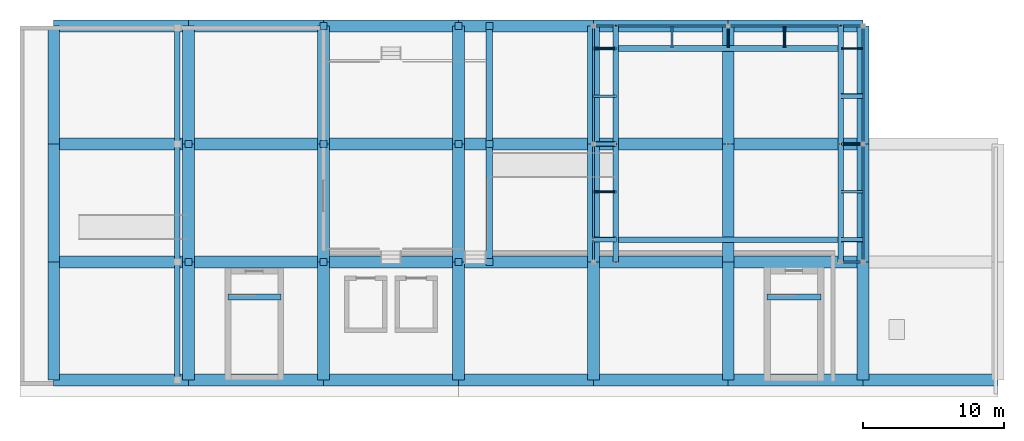
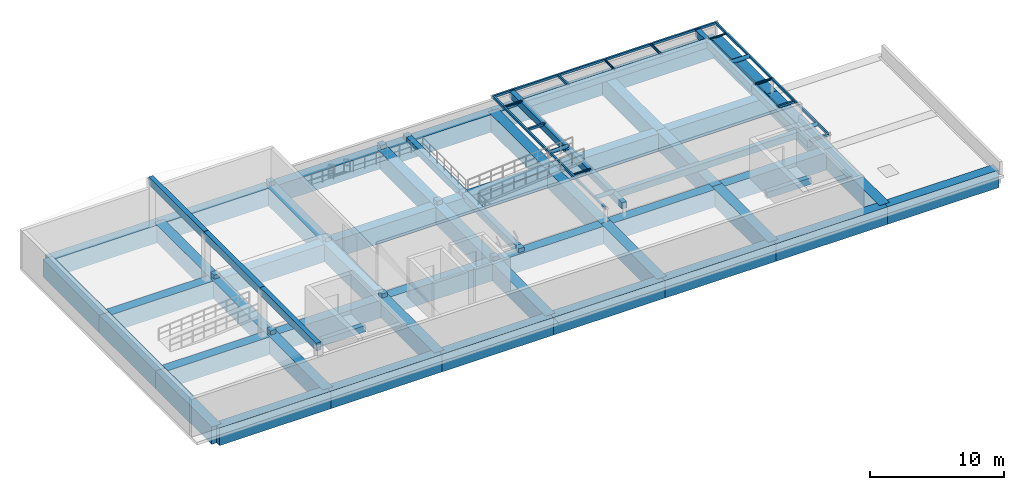
# One storey, part 3 of 8: 59 beams, 18 members, 11 columns.
"""IFC4 building model written with IfcOpenShell, lengths in metres."""

from ifc_helpers import new_model, si_unit, direction, frame, origin, origin_2d, place, context, subcontext, project, spatial, rectangle, hollow_rectangle, hollow_circle, extrude, material, material_profile, profile_set, type_object, element, save


model = new_model("IFC4")

# Units and contexts
model_context = context("Model", 3, precision=1e-05, world=origin(), true_north=direction((0.0, 1.0)))
body_context = subcontext(model_context, "Body", "Model", "MODEL_VIEW")
ifc_project = project(units=[si_unit("LENGTHUNIT", "METRE"), si_unit("AREAUNIT", "SQUARE_METRE"), si_unit("VOLUMEUNIT", "CUBIC_METRE"), si_unit("PLANEANGLEUNIT", "RADIAN"), si_unit("MASSUNIT", "GRAM", prefix="KILO")], contexts=[model_context])

# Site, building, storey
site_placement = place(None, origin())
site = spatial("IfcSite", under=ifc_project, at=site_placement, CompositionType="ELEMENT")
building_placement = place(site_placement, origin())
building = spatial("IfcBuilding", under=site, at=building_placement, Name="Oolite Switchyard Hospital", CompositionType="ELEMENT")
storey_placement = place(building_placement, frame((0.0, 0.0, 34.60009765625)))
storey = spatial("IfcBuildingStorey", under=building, at=storey_placement, Name="RF", CompositionType="ELEMENT", Elevation=34.60009765625)

# Columns
ifc_material_1 = material(Name="Concrete C50/60", Category="concrete")
ifc_material_profile_1 = material_profile(ifc_material_1, rectangle(XDim=0.5, YDim=0.5, at=origin_2d()), Name="RC500X500")
ifc_profile_set_1 = profile_set([ifc_material_profile_1], Name="Concrete C50/60")
column_type = type_object("IfcColumnType", Name="COL-RC500", PredefinedType="COLUMN", material=ifc_profile_set_1)
for number, where, z_axis, x_axis, name in (
    (1, (153.60009765625, 117.60009765625, 0.0), (0.0, 0.0, 1.0), (1.0, 0.0, 0.0), "RF Apron Pedestal Column 1"),
    (2, (153.60009765625, 126.0, 0.0), (0.0, 0.0, 1.0), (1.0, 0.0, 0.0), "RF Apron Pedestal Column 2"),
    (3, (163.199951171875, 117.60009765625, 0.0), (0.0, 0.0, 1.0), (1.0, 0.0, 0.0), "RF Apron Pedestal Column 3"),
    (4, (163.199951171875, 126.0, 0.0), (0.0, 0.0, 1.0), (1.0, 0.0, 0.0), "RF Apron Pedestal Column 4"),
    (5, (163.199951171875, 134.39990234375, 0.0), (0.0, 0.0, 1.0), (1.0, 0.0, 0.0), "RF Apron Pedestal Column 5"),
    (6, (172.800048828125, 117.60009765625, 0.0), (0.0, 0.0, 1.0), (1.0, 0.0, 0.0), "RF Apron Pedestal Column 6"),
    (7, (172.800048828125, 126.0, 0.0), (0.0, 0.0, 1.0), (1.0, 0.0, 0.0), "RF Apron Pedestal Column 7"),
    (8, (172.800048828125, 134.39990234375, 0.0), (0.0, 0.0, 1.0), (1.0, 0.0, 0.0), "RF Apron Pedestal Column 8"),
    (9, (175.0, 117.60009765625, 0.0), (0.0, 0.0, 1.0), (1.0, 0.0, 0.0), "RF Apron Pedestal Column 9"),
    (10, (175.0, 126.0, 0.0), (0.0, 0.0, 1.0), (1.0, 0.0, 0.0), "RF Apron Pedestal Column 10"),
    (11, (175.0, 134.39990234375, 0.0), (0.0, 0.0, 1.0), (1.0, 0.0, 0.0), "RF Apron Pedestal Column 11"),
):
    element("IfcColumn", number, at=place(storey_placement, frame(where, z_axis=z_axis, x_axis=x_axis)), inside=storey, type_object=column_type, Name=name, PredefinedType="COLUMN", context=body_context, shape_type="SweptSolid", body=[
        extrude(rectangle(XDim=0.5, YDim=0.5, at=origin_2d()), origin(), (0.0, 0.0, 1.0), 0.369873046875),
    ])

# Beams
ifc_material_2 = material(Name="Concrete C40/50", Category="concrete")
ifc_material_profile_2 = material_profile(ifc_material_2, rectangle(XDim=0.39990234375, YDim=0.60009765625, at=origin_2d()), Name="RCB400X600")
ifc_profile_set_2 = profile_set([ifc_material_profile_2], Name="Concrete C40/50")
beam_type_1 = type_object("IfcBeamType", Name="BM-RC400X600", PredefinedType="BEAM", material=ifc_profile_set_2)
for number, where, z_axis, x_axis, name in (
    (12, (184.0, 117.60009765625, 0.9599609375), (0.0, 1.0, 0.0), (-1.0, 0.0, 0.0), "RF Helipad Inner Y-Ring Beam 3992"),
    (13, (184.0, 126.0, 0.9599609375), (0.0, 1.0, 0.0), (-1.0, 0.0, 0.0), "RF Helipad Inner Y-Ring Beam 3993"),
    (14, (200.0, 117.60009765625, 0.9599609375), (0.0, 1.0, 0.0), (-1.0, 0.0, 0.0), "RF Helipad Inner Y-Ring Beam 3994"),
    (15, (200.0, 126.0, 0.9599609375), (0.0, 1.0, 0.0), (-1.0, 0.0, 0.0), "RF Helipad Inner Y-Ring Beam 3995"),
):
    element("IfcBeam", number, at=place(storey_placement, frame(where, z_axis=z_axis, x_axis=x_axis)), inside=storey, type_object=beam_type_1, Name=name, PredefinedType="BEAM", context=body_context, shape_type="SweptSolid", body=[
        extrude(rectangle(XDim=0.39990234375, YDim=0.60009765625, at=origin_2d()), origin(), (0.0, 0.0, 1.0), 8.39990234375),
    ])
for number, where, z_axis, x_axis, name in (
    (16, (184.199951171875, 119.199951171875, 0.9599609375), (1.0, 0.0, 0.0), (0.0, 1.0, 0.0), "RF Helipad Inner X-Ring Beam 3996"),
    (17, (184.199951171875, 132.800048828125, 0.9599609375), (1.0, 0.0, 0.0), (0.0, 1.0, 0.0), "RF Helipad Inner X-Ring Beam 3997"),
):
    element("IfcBeam", number, at=place(storey_placement, frame(where, z_axis=z_axis, x_axis=x_axis)), inside=storey, type_object=beam_type_1, Name=name, PredefinedType="BEAM", context=body_context, shape_type="SweptSolid", body=[
        extrude(rectangle(XDim=0.39990234375, YDim=0.60009765625, at=origin_2d()), origin(), (0.0, 0.0, 1.0), 15.60009765625),
    ])
beam_1_placement = place(storey_placement, frame((156.39990234375, 115.110107421875, -0.300048828125), z_axis=(1.0, 0.0, 0.0), x_axis=(0.0, 1.0, 0.0)))
element("IfcBeam", 18, at=beam_1_placement, inside=storey, type_object=beam_type_1, Name="RF ST-03 Stair Throat Trimmer Beam", PredefinedType="BEAM", context=body_context, shape_type="SweptSolid", body=[
    extrude(rectangle(XDim=0.39990234375, YDim=0.60009765625, at=origin_2d()), origin(), (0.0, 0.0, 1.0), 3.760009765625),
])
beam_2_placement = place(storey_placement, frame((194.77490234375, 115.110107421875, -0.300048828125), z_axis=(1.0, 0.0, 0.0), x_axis=(0.0, 1.0, 0.0)))
element("IfcBeam", 19, at=beam_2_placement, inside=storey, type_object=beam_type_1, Name="RF ST-04 Stair Throat Trimmer Beam", PredefinedType="BEAM", context=body_context, shape_type="SweptSolid", body=[
    extrude(rectangle(XDim=0.39990234375, YDim=0.60009765625, at=origin_2d()), origin(), (0.0, 0.0, 1.0), 3.81005859375),
])
ifc_material_profile_3 = material_profile(ifc_material_2, rectangle(XDim=0.449951171875, YDim=0.64990234375, at=origin_2d()), Name="RCB450X650")
ifc_profile_set_3 = profile_set([ifc_material_profile_3], Name="Concrete C40/50")
beam_type_2 = type_object("IfcBeamType", Name="BM-RC450X650", PredefinedType="BEAM", material=ifc_profile_set_3)
for number, where, z_axis, x_axis, name in (
    (20, (175.0, 117.60009765625, 0.044921875), (0.0, 1.0, 0.0), (-1.0, 0.0, 0.0), "RF Staging Apron East Edge Beam 3990"),
    (21, (175.0, 126.0, 0.044921875), (0.0, 1.0, 0.0), (-1.0, 0.0, 0.0), "RF Staging Apron East Edge Beam 3991"),
):
    element("IfcBeam", number, at=place(storey_placement, frame(where, z_axis=z_axis, x_axis=x_axis)), inside=storey, type_object=beam_type_2, Name=name, PredefinedType="BEAM", context=body_context, shape_type="SweptSolid", body=[
        extrude(rectangle(XDim=0.449951171875, YDim=0.64990234375, at=origin_2d()), origin(), (0.0, 0.0, 1.0), 8.39990234375),
    ])
ifc_material_profile_4 = material_profile(ifc_material_2, rectangle(XDim=0.39990234375, YDim=0.699951171875, at=origin_2d()), Name="RCR400X700")
ifc_profile_set_4 = profile_set([ifc_material_profile_4], Name="Concrete C40/50")
beam_type_3 = type_object("IfcBeamType", Name="BM-RIDGE700", PredefinedType="T_BEAM", material=ifc_profile_set_4)
beam_3_placement = place(storey_placement, frame((152.800048828125, 109.199951171875, 4.099853515625), z_axis=(0.0, 1.0, 0.0), x_axis=(-1.0, 0.0, 0.0)))
element("IfcBeam", 22, at=beam_3_placement, inside=storey, type_object=beam_type_3, Name="RF Headhouse HH1 Ridge Beam 1", PredefinedType="T_BEAM", context=body_context, shape_type="SweptSolid", body=[
    extrude(rectangle(XDim=0.39990234375, YDim=0.699951171875, at=origin_2d()), origin(), (0.0, 0.0, 1.0), 8.400146484375),
])
beam_4_placement = place(storey_placement, frame((152.800048828125, 117.60009765625, 4.099853515625), z_axis=(0.0, 1.0, 0.0), x_axis=(-1.0, 0.0, 0.0)))
element("IfcBeam", 23, at=beam_4_placement, inside=storey, type_object=beam_type_3, Name="RF Headhouse HH1 Ridge Beam 2", PredefinedType="T_BEAM", context=body_context, shape_type="SweptSolid", body=[
    extrude(rectangle(XDim=0.39990234375, YDim=0.699951171875, at=origin_2d()), origin(), (0.0, 0.0, 1.0), 8.39990234375),
])
beam_5_placement = place(storey_placement, frame((152.800048828125, 126.0, 4.099853515625), z_axis=(0.0, 1.0, 0.0), x_axis=(-1.0, 0.0, 0.0)))
element("IfcBeam", 24, at=beam_5_placement, inside=storey, type_object=beam_type_3, Name="RF Headhouse HH1 Ridge Beam 3", PredefinedType="T_BEAM", context=body_context, shape_type="SweptSolid", body=[
    extrude(rectangle(XDim=0.39990234375, YDim=0.699951171875, at=origin_2d()), origin(), (0.0, 0.0, 1.0), 8.25),
])
ifc_material_profile_5 = material_profile(ifc_material_2, rectangle(XDim=0.85009765625, YDim=1.60009765625, at=origin_2d()), Name="RCT850X1600")
ifc_profile_set_5 = profile_set([ifc_material_profile_5], Name="Concrete C40/50")
beam_type_4 = type_object("IfcBeamType", Name="BM-TR850X1600", PredefinedType="BEAM", material=ifc_profile_set_5)
beam_6_placement = place(storey_placement, frame((144.0, 109.199951171875, -0.800048828125), z_axis=(1.0, 0.0, 0.0), x_axis=(0.0, 1.0, 0.0)))
element("IfcBeam", 25, at=beam_6_placement, inside=storey, type_object=beam_type_4, Name="RF X-Girder 3940", PredefinedType="BEAM", context=body_context, shape_type="SweptSolid", body=[
    extrude(rectangle(XDim=0.85009765625, YDim=1.60009765625, at=origin_2d()), origin(), (0.0, 0.0, 1.0), 9.60009765625),
])
beam_7_placement = place(storey_placement, frame((153.60009765625, 109.199951171875, -0.800048828125), z_axis=(1.0, 0.0, 0.0), x_axis=(0.0, 1.0, 0.0)))
element("IfcBeam", 26, at=beam_7_placement, inside=storey, type_object=beam_type_4, Name="RF X-Girder 3941", PredefinedType="BEAM", context=body_context, shape_type="SweptSolid", body=[
    extrude(rectangle(XDim=0.85009765625, YDim=1.60009765625, at=origin_2d()), origin(), (0.0, 0.0, 1.0), 9.599853515625),
])
beam_8_placement = place(storey_placement, frame((163.199951171875, 109.199951171875, -0.800048828125), z_axis=(1.0, 0.0, 0.0), x_axis=(0.0, 1.0, 0.0)))
element("IfcBeam", 27, at=beam_8_placement, inside=storey, type_object=beam_type_4, Name="RF X-Girder 3942", PredefinedType="BEAM", context=body_context, shape_type="SweptSolid", body=[
    extrude(rectangle(XDim=0.85009765625, YDim=1.60009765625, at=origin_2d()), origin(), (0.0, 0.0, 1.0), 9.60009765625),
])
beam_9_placement = place(storey_placement, frame((172.800048828125, 109.199951171875, -0.800048828125), z_axis=(1.0, 0.0, 0.0), x_axis=(0.0, 1.0, 0.0)))
element("IfcBeam", 28, at=beam_9_placement, inside=storey, type_object=beam_type_4, Name="RF X-Girder 3943", PredefinedType="BEAM", context=body_context, shape_type="SweptSolid", body=[
    extrude(rectangle(XDim=0.85009765625, YDim=1.60009765625, at=origin_2d()), origin(), (0.0, 0.0, 1.0), 9.599853515625),
])
for number, where, z_axis, x_axis, name in (
    (29, (182.39990234375, 109.199951171875, -0.800048828125), (1.0, 0.0, 0.0), (0.0, 1.0, 0.0), "RF X-Girder 3944"),
    (30, (192.0, 109.199951171875, -0.800048828125), (1.0, 0.0, 0.0), (0.0, 1.0, 0.0), "RF X-Girder 3945"),
):
    element("IfcBeam", number, at=place(storey_placement, frame(where, z_axis=z_axis, x_axis=x_axis)), inside=storey, type_object=beam_type_4, Name=name, PredefinedType="BEAM", context=body_context, shape_type="SweptSolid", body=[
        extrude(rectangle(XDim=0.85009765625, YDim=1.60009765625, at=origin_2d()), origin(), (0.0, 0.0, 1.0), 9.60009765625),
    ])
beam_10_placement = place(storey_placement, frame((201.60009765625, 109.199951171875, -0.800048828125), z_axis=(1.0, 0.0, 0.0), x_axis=(0.0, 1.0, 0.0)))
element("IfcBeam", 31, at=beam_10_placement, inside=storey, type_object=beam_type_4, Name="RF X-Girder 3946", PredefinedType="BEAM", context=body_context, shape_type="SweptSolid", body=[
    extrude(rectangle(XDim=0.85009765625, YDim=1.60009765625, at=origin_2d()), origin(), (0.0, 0.0, 1.0), 9.599853515625),
])
beam_11_placement = place(storey_placement, frame((144.0, 117.60009765625, -0.800048828125), z_axis=(1.0, 0.0, 0.0), x_axis=(0.0, 1.0, 0.0)))
element("IfcBeam", 32, at=beam_11_placement, inside=storey, type_object=beam_type_4, Name="RF X-Girder 3947", PredefinedType="BEAM", context=body_context, shape_type="SweptSolid", body=[
    extrude(rectangle(XDim=0.85009765625, YDim=1.60009765625, at=origin_2d()), origin(), (0.0, 0.0, 1.0), 9.60009765625),
])
beam_12_placement = place(storey_placement, frame((153.60009765625, 117.60009765625, -0.800048828125), z_axis=(1.0, 0.0, 0.0), x_axis=(0.0, 1.0, 0.0)))
element("IfcBeam", 33, at=beam_12_placement, inside=storey, type_object=beam_type_4, Name="RF X-Girder 3948", PredefinedType="BEAM", context=body_context, shape_type="SweptSolid", body=[
    extrude(rectangle(XDim=0.85009765625, YDim=1.60009765625, at=origin_2d()), origin(), (0.0, 0.0, 1.0), 9.599853515625),
])
beam_13_placement = place(storey_placement, frame((163.199951171875, 117.60009765625, -0.800048828125), z_axis=(1.0, 0.0, 0.0), x_axis=(0.0, 1.0, 0.0)))
element("IfcBeam", 34, at=beam_13_placement, inside=storey, type_object=beam_type_4, Name="RF X-Girder 3949", PredefinedType="BEAM", context=body_context, shape_type="SweptSolid", body=[
    extrude(rectangle(XDim=0.85009765625, YDim=1.60009765625, at=origin_2d()), origin(), (0.0, 0.0, 1.0), 9.60009765625),
])
beam_14_placement = place(storey_placement, frame((172.800048828125, 117.60009765625, -0.800048828125), z_axis=(1.0, 0.0, 0.0), x_axis=(0.0, 1.0, 0.0)))
element("IfcBeam", 35, at=beam_14_placement, inside=storey, type_object=beam_type_4, Name="RF X-Girder 3950", PredefinedType="BEAM", context=body_context, shape_type="SweptSolid", body=[
    extrude(rectangle(XDim=0.85009765625, YDim=1.60009765625, at=origin_2d()), origin(), (0.0, 0.0, 1.0), 9.599853515625),
])
for number, where, z_axis, x_axis, name in (
    (36, (182.39990234375, 117.60009765625, -0.800048828125), (1.0, 0.0, 0.0), (0.0, 1.0, 0.0), "RF X-Girder 3951"),
    (37, (192.0, 117.60009765625, -0.800048828125), (1.0, 0.0, 0.0), (0.0, 1.0, 0.0), "RF X-Girder 3952"),
    (38, (144.0, 126.0, -0.800048828125), (1.0, 0.0, 0.0), (0.0, 1.0, 0.0), "RF X-Girder 3954"),
):
    element("IfcBeam", number, at=place(storey_placement, frame(where, z_axis=z_axis, x_axis=x_axis)), inside=storey, type_object=beam_type_4, Name=name, PredefinedType="BEAM", context=body_context, shape_type="SweptSolid", body=[
        extrude(rectangle(XDim=0.85009765625, YDim=1.60009765625, at=origin_2d()), origin(), (0.0, 0.0, 1.0), 9.60009765625),
    ])
beam_15_placement = place(storey_placement, frame((153.60009765625, 126.0, -0.800048828125), z_axis=(1.0, 0.0, 0.0), x_axis=(0.0, 1.0, 0.0)))
element("IfcBeam", 39, at=beam_15_placement, inside=storey, type_object=beam_type_4, Name="RF X-Girder 3955", PredefinedType="BEAM", context=body_context, shape_type="SweptSolid", body=[
    extrude(rectangle(XDim=0.85009765625, YDim=1.60009765625, at=origin_2d()), origin(), (0.0, 0.0, 1.0), 9.599853515625),
])
beam_16_placement = place(storey_placement, frame((163.199951171875, 126.0, -0.800048828125), z_axis=(1.0, 0.0, 0.0), x_axis=(0.0, 1.0, 0.0)))
element("IfcBeam", 40, at=beam_16_placement, inside=storey, type_object=beam_type_4, Name="RF X-Girder 3956", PredefinedType="BEAM", context=body_context, shape_type="SweptSolid", body=[
    extrude(rectangle(XDim=0.85009765625, YDim=1.60009765625, at=origin_2d()), origin(), (0.0, 0.0, 1.0), 9.60009765625),
])
beam_17_placement = place(storey_placement, frame((172.800048828125, 126.0, -0.800048828125), z_axis=(1.0, 0.0, 0.0), x_axis=(0.0, 1.0, 0.0)))
element("IfcBeam", 41, at=beam_17_placement, inside=storey, type_object=beam_type_4, Name="RF X-Girder 3957", PredefinedType="BEAM", context=body_context, shape_type="SweptSolid", body=[
    extrude(rectangle(XDim=0.85009765625, YDim=1.60009765625, at=origin_2d()), origin(), (0.0, 0.0, 1.0), 9.599853515625),
])
for number, where, z_axis, x_axis, name in (
    (42, (182.39990234375, 126.0, -0.800048828125), (1.0, 0.0, 0.0), (0.0, 1.0, 0.0), "RF X-Girder 3958"),
    (43, (192.0, 126.0, -0.800048828125), (1.0, 0.0, 0.0), (0.0, 1.0, 0.0), "RF X-Girder 3959"),
    (44, (144.0, 134.39990234375, -0.800048828125), (1.0, 0.0, 0.0), (0.0, 1.0, 0.0), "RF X-Girder 3961"),
):
    element("IfcBeam", number, at=place(storey_placement, frame(where, z_axis=z_axis, x_axis=x_axis)), inside=storey, type_object=beam_type_4, Name=name, PredefinedType="BEAM", context=body_context, shape_type="SweptSolid", body=[
        extrude(rectangle(XDim=0.85009765625, YDim=1.60009765625, at=origin_2d()), origin(), (0.0, 0.0, 1.0), 9.60009765625),
    ])
beam_18_placement = place(storey_placement, frame((153.60009765625, 134.39990234375, -0.800048828125), z_axis=(1.0, 0.0, 0.0), x_axis=(0.0, 1.0, 0.0)))
element("IfcBeam", 45, at=beam_18_placement, inside=storey, type_object=beam_type_4, Name="RF X-Girder 3962", PredefinedType="BEAM", context=body_context, shape_type="SweptSolid", body=[
    extrude(rectangle(XDim=0.85009765625, YDim=1.60009765625, at=origin_2d()), origin(), (0.0, 0.0, 1.0), 9.599853515625),
])
beam_19_placement = place(storey_placement, frame((163.199951171875, 134.39990234375, -0.800048828125), z_axis=(1.0, 0.0, 0.0), x_axis=(0.0, 1.0, 0.0)))
element("IfcBeam", 46, at=beam_19_placement, inside=storey, type_object=beam_type_4, Name="RF X-Girder 3963", PredefinedType="BEAM", context=body_context, shape_type="SweptSolid", body=[
    extrude(rectangle(XDim=0.85009765625, YDim=1.60009765625, at=origin_2d()), origin(), (0.0, 0.0, 1.0), 9.60009765625),
])
beam_20_placement = place(storey_placement, frame((172.800048828125, 134.39990234375, -0.800048828125), z_axis=(1.0, 0.0, 0.0), x_axis=(0.0, 1.0, 0.0)))
element("IfcBeam", 47, at=beam_20_placement, inside=storey, type_object=beam_type_4, Name="RF X-Girder 3964", PredefinedType="BEAM", context=body_context, shape_type="SweptSolid", body=[
    extrude(rectangle(XDim=0.85009765625, YDim=1.60009765625, at=origin_2d()), origin(), (0.0, 0.0, 1.0), 9.599853515625),
])
for number, where, z_axis, x_axis, name in (
    (48, (182.39990234375, 134.39990234375, -0.800048828125), (1.0, 0.0, 0.0), (0.0, 1.0, 0.0), "RF X-Girder 3965"),
    (49, (192.0, 134.39990234375, -0.800048828125), (1.0, 0.0, 0.0), (0.0, 1.0, 0.0), "RF X-Girder 3966"),
):
    element("IfcBeam", number, at=place(storey_placement, frame(where, z_axis=z_axis, x_axis=x_axis)), inside=storey, type_object=beam_type_4, Name=name, PredefinedType="BEAM", context=body_context, shape_type="SweptSolid", body=[
        extrude(rectangle(XDim=0.85009765625, YDim=1.60009765625, at=origin_2d()), origin(), (0.0, 0.0, 1.0), 9.60009765625),
    ])
beam_21_placement = place(storey_placement, frame((144.0, 109.199951171875, -0.800048828125), z_axis=(0.0, 1.0, 0.0), x_axis=(-1.0, 0.0, 0.0)))
element("IfcBeam", 50, at=beam_21_placement, inside=storey, type_object=beam_type_4, Name="RF Y-Girder 3967", PredefinedType="BEAM", context=body_context, shape_type="SweptSolid", body=[
    extrude(rectangle(XDim=0.85009765625, YDim=1.60009765625, at=origin_2d()), origin(), (0.0, 0.0, 1.0), 8.400146484375),
])
for number, where, z_axis, x_axis, name in (
    (51, (144.0, 117.60009765625, -0.800048828125), (0.0, 1.0, 0.0), (-1.0, 0.0, 0.0), "RF Y-Girder 3968"),
    (52, (144.0, 126.0, -0.800048828125), (0.0, 1.0, 0.0), (-1.0, 0.0, 0.0), "RF Y-Girder 3969"),
):
    element("IfcBeam", number, at=place(storey_placement, frame(where, z_axis=z_axis, x_axis=x_axis)), inside=storey, type_object=beam_type_4, Name=name, PredefinedType="BEAM", context=body_context, shape_type="SweptSolid", body=[
        extrude(rectangle(XDim=0.85009765625, YDim=1.60009765625, at=origin_2d()), origin(), (0.0, 0.0, 1.0), 8.39990234375),
    ])
beam_22_placement = place(storey_placement, frame((153.60009765625, 109.199951171875, -0.800048828125), z_axis=(0.0, 1.0, 0.0), x_axis=(-1.0, 0.0, 0.0)))
element("IfcBeam", 53, at=beam_22_placement, inside=storey, type_object=beam_type_4, Name="RF Y-Girder 3970", PredefinedType="BEAM", context=body_context, shape_type="SweptSolid", body=[
    extrude(rectangle(XDim=0.85009765625, YDim=1.60009765625, at=origin_2d()), origin(), (0.0, 0.0, 1.0), 8.400146484375),
])
for number, where, z_axis, x_axis, name in (
    (54, (153.60009765625, 117.60009765625, -0.800048828125), (0.0, 1.0, 0.0), (-1.0, 0.0, 0.0), "RF Y-Girder 3971"),
    (55, (153.60009765625, 126.0, -0.800048828125), (0.0, 1.0, 0.0), (-1.0, 0.0, 0.0), "RF Y-Girder 3972"),
):
    element("IfcBeam", number, at=place(storey_placement, frame(where, z_axis=z_axis, x_axis=x_axis)), inside=storey, type_object=beam_type_4, Name=name, PredefinedType="BEAM", context=body_context, shape_type="SweptSolid", body=[
        extrude(rectangle(XDim=0.85009765625, YDim=1.60009765625, at=origin_2d()), origin(), (0.0, 0.0, 1.0), 8.39990234375),
    ])
beam_23_placement = place(storey_placement, frame((163.199951171875, 109.199951171875, -0.800048828125), z_axis=(0.0, 1.0, 0.0), x_axis=(-1.0, 0.0, 0.0)))
element("IfcBeam", 56, at=beam_23_placement, inside=storey, type_object=beam_type_4, Name="RF Y-Girder 3973", PredefinedType="BEAM", context=body_context, shape_type="SweptSolid", body=[
    extrude(rectangle(XDim=0.85009765625, YDim=1.60009765625, at=origin_2d()), origin(), (0.0, 0.0, 1.0), 8.400146484375),
])
for number, where, z_axis, x_axis, name in (
    (57, (163.199951171875, 117.60009765625, -0.800048828125), (0.0, 1.0, 0.0), (-1.0, 0.0, 0.0), "RF Y-Girder 3974"),
    (58, (163.199951171875, 126.0, -0.800048828125), (0.0, 1.0, 0.0), (-1.0, 0.0, 0.0), "RF Y-Girder 3975"),
):
    element("IfcBeam", number, at=place(storey_placement, frame(where, z_axis=z_axis, x_axis=x_axis)), inside=storey, type_object=beam_type_4, Name=name, PredefinedType="BEAM", context=body_context, shape_type="SweptSolid", body=[
        extrude(rectangle(XDim=0.85009765625, YDim=1.60009765625, at=origin_2d()), origin(), (0.0, 0.0, 1.0), 8.39990234375),
    ])
beam_24_placement = place(storey_placement, frame((172.800048828125, 109.199951171875, -0.800048828125), z_axis=(0.0, 1.0, 0.0), x_axis=(-1.0, 0.0, 0.0)))
element("IfcBeam", 59, at=beam_24_placement, inside=storey, type_object=beam_type_4, Name="RF Y-Girder 3976", PredefinedType="BEAM", context=body_context, shape_type="SweptSolid", body=[
    extrude(rectangle(XDim=0.85009765625, YDim=1.60009765625, at=origin_2d()), origin(), (0.0, 0.0, 1.0), 8.400146484375),
])
for number, where, z_axis, x_axis, name in (
    (60, (172.800048828125, 117.60009765625, -0.800048828125), (0.0, 1.0, 0.0), (-1.0, 0.0, 0.0), "RF Y-Girder 3977"),
    (61, (172.800048828125, 126.0, -0.800048828125), (0.0, 1.0, 0.0), (-1.0, 0.0, 0.0), "RF Y-Girder 3978"),
):
    element("IfcBeam", number, at=place(storey_placement, frame(where, z_axis=z_axis, x_axis=x_axis)), inside=storey, type_object=beam_type_4, Name=name, PredefinedType="BEAM", context=body_context, shape_type="SweptSolid", body=[
        extrude(rectangle(XDim=0.85009765625, YDim=1.60009765625, at=origin_2d()), origin(), (0.0, 0.0, 1.0), 8.39990234375),
    ])
beam_25_placement = place(storey_placement, frame((182.39990234375, 109.199951171875, -0.800048828125), z_axis=(0.0, 1.0, 0.0), x_axis=(-1.0, 0.0, 0.0)))
element("IfcBeam", 62, at=beam_25_placement, inside=storey, type_object=beam_type_4, Name="RF Y-Girder 3979", PredefinedType="BEAM", context=body_context, shape_type="SweptSolid", body=[
    extrude(rectangle(XDim=0.85009765625, YDim=1.60009765625, at=origin_2d()), origin(), (0.0, 0.0, 1.0), 8.400146484375),
])
for number, where, z_axis, x_axis, name in (
    (63, (182.39990234375, 117.60009765625, -0.800048828125), (0.0, 1.0, 0.0), (-1.0, 0.0, 0.0), "RF Y-Girder 3980"),
    (64, (182.39990234375, 126.0, -0.800048828125), (0.0, 1.0, 0.0), (-1.0, 0.0, 0.0), "RF Y-Girder 3981"),
):
    element("IfcBeam", number, at=place(storey_placement, frame(where, z_axis=z_axis, x_axis=x_axis)), inside=storey, type_object=beam_type_4, Name=name, PredefinedType="BEAM", context=body_context, shape_type="SweptSolid", body=[
        extrude(rectangle(XDim=0.85009765625, YDim=1.60009765625, at=origin_2d()), origin(), (0.0, 0.0, 1.0), 8.39990234375),
    ])
beam_26_placement = place(storey_placement, frame((192.0, 109.199951171875, -0.800048828125), z_axis=(0.0, 1.0, 0.0), x_axis=(-1.0, 0.0, 0.0)))
element("IfcBeam", 65, at=beam_26_placement, inside=storey, type_object=beam_type_4, Name="RF Y-Girder 3982", PredefinedType="BEAM", context=body_context, shape_type="SweptSolid", body=[
    extrude(rectangle(XDim=0.85009765625, YDim=1.60009765625, at=origin_2d()), origin(), (0.0, 0.0, 1.0), 8.400146484375),
])
for number, where, z_axis, x_axis, name in (
    (66, (192.0, 117.60009765625, -0.800048828125), (0.0, 1.0, 0.0), (-1.0, 0.0, 0.0), "RF Y-Girder 3983"),
    (67, (192.0, 126.0, -0.800048828125), (0.0, 1.0, 0.0), (-1.0, 0.0, 0.0), "RF Y-Girder 3984"),
):
    element("IfcBeam", number, at=place(storey_placement, frame(where, z_axis=z_axis, x_axis=x_axis)), inside=storey, type_object=beam_type_4, Name=name, PredefinedType="BEAM", context=body_context, shape_type="SweptSolid", body=[
        extrude(rectangle(XDim=0.85009765625, YDim=1.60009765625, at=origin_2d()), origin(), (0.0, 0.0, 1.0), 8.39990234375),
    ])
beam_27_placement = place(storey_placement, frame((201.60009765625, 109.199951171875, -0.800048828125), z_axis=(0.0, 1.0, 0.0), x_axis=(-1.0, 0.0, 0.0)))
element("IfcBeam", 68, at=beam_27_placement, inside=storey, type_object=beam_type_4, Name="RF Y-Girder 3985", PredefinedType="BEAM", context=body_context, shape_type="SweptSolid", body=[
    extrude(rectangle(XDim=0.85009765625, YDim=1.60009765625, at=origin_2d()), origin(), (0.0, 0.0, 1.0), 8.400146484375),
])
for number, where, z_axis, x_axis, name in (
    (69, (201.60009765625, 117.60009765625, -0.800048828125), (0.0, 1.0, 0.0), (-1.0, 0.0, 0.0), "RF Y-Girder 3986"),
    (70, (201.60009765625, 126.0, -0.800048828125), (0.0, 1.0, 0.0), (-1.0, 0.0, 0.0), "RF Y-Girder 3987"),
):
    element("IfcBeam", number, at=place(storey_placement, frame(where, z_axis=z_axis, x_axis=x_axis)), inside=storey, type_object=beam_type_4, Name=name, PredefinedType="BEAM", context=body_context, shape_type="SweptSolid", body=[
        extrude(rectangle(XDim=0.85009765625, YDim=1.60009765625, at=origin_2d()), origin(), (0.0, 0.0, 1.0), 8.39990234375),
    ])

# Members
ifc_material_3 = material(Name="Steel ASTM A500 Grade C", Category="steel")
ifc_material_profile_6 = material_profile(ifc_material_3, hollow_circle(Radius=0.083984375, WallThickness=0.010009765625, at=origin_2d()), Name="HSS168X10")
ifc_profile_set_6 = profile_set([ifc_material_profile_6], Name="Steel ASTM A500 Grade C")
member_type_1 = type_object("IfcMemberType", Name="MEM-ST-CHS168", PredefinedType="STRUT", material=ifc_profile_set_6)
member_1_placement = place(storey_placement, frame((192.0, 132.800048828125, 1.25), z_axis=(0.0, 1.0, 0.0), x_axis=(-1.0, 0.0, 0.0)))
element("IfcMember", 71, at=member_1_placement, inside=storey, type_object=member_type_1, Name="RF Helipad Safety-Net Outrigger Strut 10", PredefinedType="STRUT", context=body_context, shape_type="SweptSolid", body=[
    extrude(hollow_circle(Radius=0.083984375, WallThickness=0.010009765625, at=origin_2d()), origin(), (0.0, 0.0, 1.0), 1.599853515625),
])
for number, where, z_axis, x_axis, name in (
    (72, (184.0, 122.60009765625, 1.25), (-1.0, 0.0, 0.0), (0.0, -1.0, 0.0), "RF Helipad Safety-Net Outrigger Strut 15"),
    (73, (200.0, 132.800048828125, 1.25), (1.0, 0.0, 0.0), (0.0, 1.0, 0.0), "RF Helipad Safety-Net Outrigger Strut 20"),
):
    element("IfcMember", number, at=place(storey_placement, frame(where, z_axis=z_axis, x_axis=x_axis)), inside=storey, type_object=member_type_1, Name=name, PredefinedType="STRUT", context=body_context, shape_type="SweptSolid", body=[
        extrude(hollow_circle(Radius=0.083984375, WallThickness=0.010009765625, at=origin_2d()), origin(), (0.0, 0.0, 1.0), 1.60009765625),
    ])
ifc_material_profile_7 = material_profile(ifc_material_3, hollow_circle(Radius=0.109619140625, WallThickness=0.012939453125, at=origin_2d()), Name="HSS219X13")
ifc_profile_set_7 = profile_set([ifc_material_profile_7], Name="Steel ASTM A500 Grade C")
member_type_2 = type_object("IfcMemberType", Name="MEM-ST-CHS219", PredefinedType="STRUT", material=ifc_profile_set_7)
member_2_placement = place(storey_placement, frame((196.0, 132.800048828125, 1.25), z_axis=(0.0, 1.0, 0.0), x_axis=(-1.0, 0.0, 0.0)))
element("IfcMember", 74, at=member_2_placement, inside=storey, type_object=member_type_2, Name="RF Helipad Safety-Net Outrigger Strut 11", PredefinedType="STRUT", context=body_context, shape_type="SweptSolid", body=[
    extrude(hollow_circle(Radius=0.109619140625, WallThickness=0.012939453125, at=origin_2d()), origin(), (0.0, 0.0, 1.0), 1.599853515625),
])
for number, where, z_axis, x_axis, name in (
    (75, (200.0, 126.0, 1.25), (1.0, 0.0, 0.0), (0.0, 1.0, 0.0), "RF Helipad Safety-Net Outrigger Strut 16"),
    (76, (184.0, 132.800048828125, 1.25), (-1.0, 0.0, 0.0), (0.0, -1.0, 0.0), "RF Helipad Safety-Net Outrigger Strut 21"),
):
    element("IfcMember", number, at=place(storey_placement, frame(where, z_axis=z_axis, x_axis=x_axis)), inside=storey, type_object=member_type_2, Name=name, PredefinedType="STRUT", context=body_context, shape_type="SweptSolid", body=[
        extrude(hollow_circle(Radius=0.109619140625, WallThickness=0.012939453125, at=origin_2d()), origin(), (0.0, 0.0, 1.0), 1.60009765625),
    ])
ifc_material_profile_8 = material_profile(ifc_material_3, hollow_circle(Radius=0.162109375, WallThickness=0.012939453125, at=origin_2d()), Name="HSS324X13")
ifc_profile_set_8 = profile_set([ifc_material_profile_8], Name="Steel ASTM A500 Grade C")
member_type_3 = type_object("IfcMemberType", Name="MEM-ST-CHS324", PredefinedType="STRUT", material=ifc_profile_set_8)
for number, where, z_axis, x_axis, name in (
    (77, (200.0, 119.199951171875, 1.25), (1.0, 0.0, 0.0), (0.0, 1.0, 0.0), "RF Helipad Safety-Net Outrigger Strut 12"),
    (78, (184.0, 126.0, 1.25), (-1.0, 0.0, 0.0), (0.0, -1.0, 0.0), "RF Helipad Safety-Net Outrigger Strut 17"),
):
    element("IfcMember", number, at=place(storey_placement, frame(where, z_axis=z_axis, x_axis=x_axis)), inside=storey, type_object=member_type_3, Name=name, PredefinedType="STRUT", context=body_context, shape_type="SweptSolid", body=[
        extrude(hollow_circle(Radius=0.162109375, WallThickness=0.012939453125, at=origin_2d()), origin(), (0.0, 0.0, 1.0), 1.60009765625),
    ])
ifc_material_profile_9 = material_profile(ifc_material_3, hollow_circle(Radius=0.177978515625, WallThickness=0.012939453125, at=origin_2d()), Name="HSS356X13")
ifc_profile_set_9 = profile_set([ifc_material_profile_9], Name="Steel ASTM A500 Grade C")
member_type_4 = type_object("IfcMemberType", Name="MEM-ST-CHS356", PredefinedType="STRUT", material=ifc_profile_set_9)
for number, where, z_axis, x_axis, name in (
    (79, (184.0, 119.199951171875, 1.25), (-1.0, 0.0, 0.0), (0.0, -1.0, 0.0), "RF Helipad Safety-Net Outrigger Strut 13"),
    (80, (200.0, 129.39990234375, 1.25), (1.0, 0.0, 0.0), (0.0, 1.0, 0.0), "RF Helipad Safety-Net Outrigger Strut 18"),
):
    element("IfcMember", number, at=place(storey_placement, frame(where, z_axis=z_axis, x_axis=x_axis)), inside=storey, type_object=member_type_4, Name=name, PredefinedType="STRUT", context=body_context, shape_type="SweptSolid", body=[
        extrude(hollow_circle(Radius=0.177978515625, WallThickness=0.012939453125, at=origin_2d()), origin(), (0.0, 0.0, 1.0), 1.60009765625),
    ])
ifc_material_profile_10 = material_profile(ifc_material_3, hollow_rectangle(XDim=0.152099609375, YDim=0.202880859375, WallThickness=0.010009765625, at=origin_2d()), Name="HSS203X152X10")
ifc_profile_set_10 = profile_set([ifc_material_profile_10], Name="Steel ASTM A500 Grade C")
member_type_5 = type_object("IfcMemberType", Name="MEM-ST-RHS203", PredefinedType="STRUT", material=ifc_profile_set_10)
member_3_placement = place(storey_placement, frame((200.0, 117.60009765625, 1.25), z_axis=(1.0, 0.0, 0.0), x_axis=(0.0, 1.0, 0.0)))
element("IfcMember", 81, at=member_3_placement, inside=storey, type_object=member_type_5, Name="RF Helipad Safety-Net Rim Member 4", PredefinedType="STRUT", context=body_context, shape_type="SweptSolid", body=[
    extrude(hollow_rectangle(XDim=0.152099609375, YDim=0.202880859375, WallThickness=0.010009765625, at=origin_2d()), origin(), (0.0, 0.0, 1.0), 1.60009765625),
])
member_4_placement = place(storey_placement, frame((182.39990234375, 134.39990234375, 1.25), z_axis=(1.0, 0.0, 0.0), x_axis=(0.0, 1.0, 0.0)))
element("IfcMember", 82, at=member_4_placement, inside=storey, type_object=member_type_5, Name="RF Helipad Safety-Net Rim Member 5", PredefinedType="STRUT", context=body_context, shape_type="SweptSolid", body=[
    extrude(hollow_rectangle(XDim=0.152099609375, YDim=0.202880859375, WallThickness=0.010009765625, at=origin_2d()), origin(), (0.0, 0.0, 1.0), 19.2001953125),
])
member_5_placement = place(storey_placement, frame((201.60009765625, 117.60009765625, 1.25), z_axis=(0.0, 1.0, 0.0), x_axis=(-1.0, 0.0, 0.0)))
element("IfcMember", 83, at=member_5_placement, inside=storey, type_object=member_type_5, Name="RF Helipad Safety-Net Rim Member 6", PredefinedType="STRUT", context=body_context, shape_type="SweptSolid", body=[
    extrude(hollow_rectangle(XDim=0.152099609375, YDim=0.202880859375, WallThickness=0.010009765625, at=origin_2d()), origin(), (0.0, 0.0, 1.0), 16.7998046875),
])
for number, where, z_axis, x_axis, name in (
    (84, (182.39990234375, 117.60009765625, 1.25), (0.0, 1.0, 0.0), (-1.0, 0.0, 0.0), "RF Helipad Safety-Net Rim Member 7"),
    (85, (182.39990234375, 126.0, 1.25), (0.0, 1.0, 0.0), (-1.0, 0.0, 0.0), "RF Helipad Safety-Net Rim Member 8"),
):
    element("IfcMember", number, at=place(storey_placement, frame(where, z_axis=z_axis, x_axis=x_axis)), inside=storey, type_object=member_type_5, Name=name, PredefinedType="STRUT", context=body_context, shape_type="SweptSolid", body=[
        extrude(hollow_rectangle(XDim=0.152099609375, YDim=0.202880859375, WallThickness=0.010009765625, at=origin_2d()), origin(), (0.0, 0.0, 1.0), 8.39990234375),
    ])
member_6_placement = place(storey_placement, frame((188.0, 132.800048828125, 1.25), z_axis=(0.0, 1.0, 0.0), x_axis=(-1.0, 0.0, 0.0)))
element("IfcMember", 86, at=member_6_placement, inside=storey, type_object=member_type_5, Name="RF Helipad Safety-Net Outrigger Strut 9", PredefinedType="STRUT", context=body_context, shape_type="SweptSolid", body=[
    extrude(hollow_rectangle(XDim=0.152099609375, YDim=0.202880859375, WallThickness=0.010009765625, at=origin_2d()), origin(), (0.0, 0.0, 1.0), 1.599853515625),
])
for number, where, z_axis, x_axis, name in (
    (87, (200.0, 122.60009765625, 1.25), (1.0, 0.0, 0.0), (0.0, 1.0, 0.0), "RF Helipad Safety-Net Outrigger Strut 14"),
    (88, (184.0, 129.39990234375, 1.25), (-1.0, 0.0, 0.0), (0.0, -1.0, 0.0), "RF Helipad Safety-Net Outrigger Strut 19"),
):
    element("IfcMember", number, at=place(storey_placement, frame(where, z_axis=z_axis, x_axis=x_axis)), inside=storey, type_object=member_type_5, Name=name, PredefinedType="STRUT", context=body_context, shape_type="SweptSolid", body=[
        extrude(hollow_rectangle(XDim=0.152099609375, YDim=0.202880859375, WallThickness=0.010009765625, at=origin_2d()), origin(), (0.0, 0.0, 1.0), 1.60009765625),
    ])

save(model, "model.ifc")
